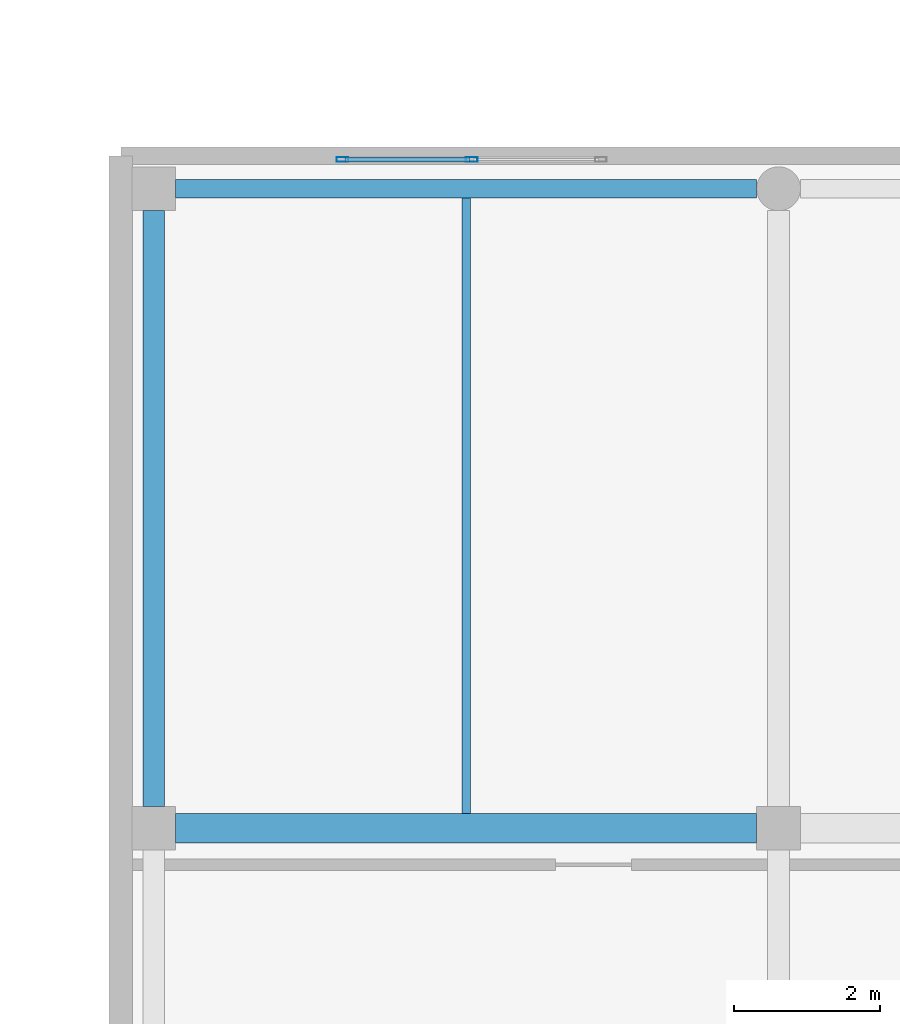
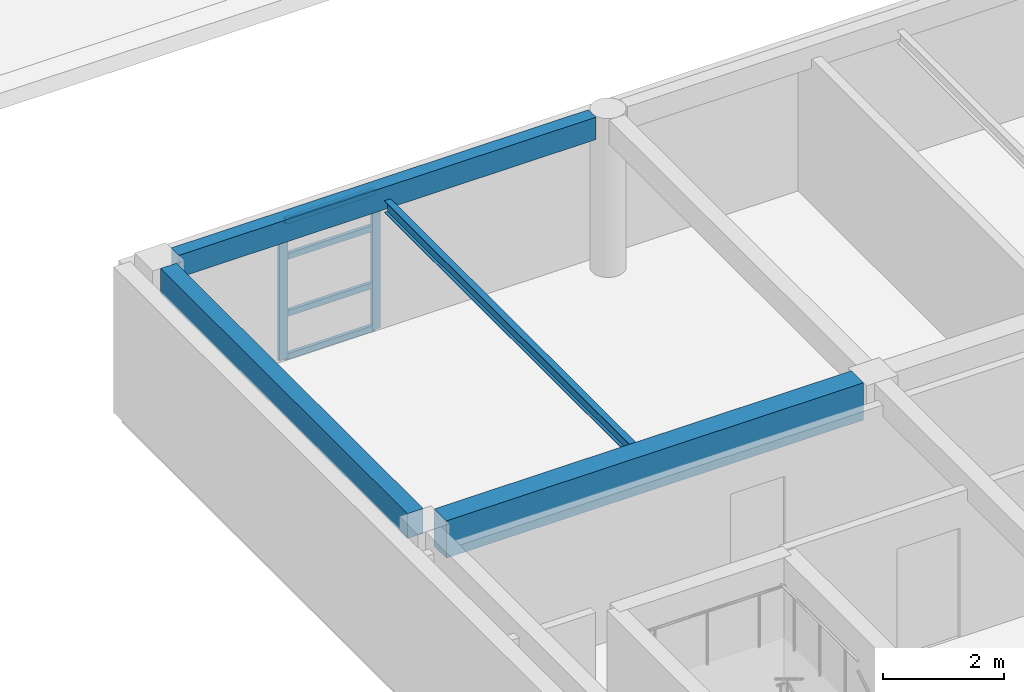
# One storey, part 36 of 128: 6 members, 4 beams, 1 element without a shape of its own.
"""IFC4 building model written with IfcOpenShell, lengths in metres."""

from ifc_helpers import new_model, si_unit, direction, frame, origin, origin_2d, place, context, subcontext, project, spatial, rectangle, hollow_rectangle, i_section, extrude, material, layer, layer_set, material_profile, profile_set, type_object, element, aggregate, save


model = new_model("IFC4")

# Units and contexts
model_context = context("Model", 3, precision=1e-05, world=origin(), true_north=direction((0.0, 1.0)))
body_context = subcontext(model_context, "Body", "Model", "MODEL_VIEW")
ifc_project = project(units=[si_unit("LENGTHUNIT", "METRE"), si_unit("AREAUNIT", "SQUARE_METRE"), si_unit("VOLUMEUNIT", "CUBIC_METRE"), si_unit("PLANEANGLEUNIT", "RADIAN"), si_unit("MASSUNIT", "GRAM", prefix="KILO")], contexts=[model_context])

# Site, building, storey
site_placement = place(None, origin())
site = spatial("IfcSite", under=ifc_project, at=site_placement, CompositionType="ELEMENT")
building_placement = place(site_placement, origin())
building = spatial("IfcBuilding", under=site, at=building_placement, Name="Keldmere Railside Commons", CompositionType="ELEMENT")
storey_placement = place(building_placement, frame((0.0, 0.0, 4.159912109375)))
storey = spatial("IfcBuildingStorey", under=building, at=storey_placement, Name="L01", CompositionType="ELEMENT", Elevation=4.159912109375)

# Beams
ifc_material_1 = material(Name="Concrete H-35 (C35/45)", Category="concrete")
ifc_material_profile_1 = material_profile(ifc_material_1, rectangle(XDim=0.39990234375, YDim=0.75, at=origin_2d()), Name="RC-400x750")
ifc_profile_set_1 = profile_set([ifc_material_profile_1], Name="Concrete H-35 (C35/45)")
beam_type_1 = type_object("IfcBeamType", Name="Civic Frame RC Girder 400x750", PredefinedType="BEAM", material=ifc_profile_set_1)
beam_1_placement = place(storey_placement, frame((128.75, 30.800048828125, 2.8251953125), z_axis=(1.0, 0.0, 0.0), x_axis=(0.0, 1.0, 0.0)))
element("IfcBeam", 1, at=beam_1_placement, inside=storey, type_object=beam_type_1, Name="BG-2 BM-L01-0761", PredefinedType="BEAM", context=body_context, shape_type="SweptSolid", body=[
    extrude(rectangle(XDim=0.39990234375, YDim=0.75, at=origin_2d()), origin(), (0.0, 0.0, 1.0), 7.949951171875),
])
ifc_material_2 = material(Name="Steel F-36 (S355)", Category="steel")
ifc_material_profile_2 = material_profile(ifc_material_2, i_section(OverallWidth=0.1201171875, OverallDepth=0.239990234375, WebThickness=0.006103515625, FlangeThickness=0.009765625, at=origin_2d()), Name="IPE-240")
ifc_profile_set_2 = profile_set([ifc_material_profile_2], Name="Steel F-36 (S355)")
beam_type_2 = type_object("IfcBeamType", Name="Nursery & Mezzanine Steel Joist IPE240", PredefinedType="JOIST", material=ifc_profile_set_2)
beam_2_placement = place(storey_placement, frame((132.72509765625, 31.0, 2.81005859375), z_axis=(0.0, 1.0, 0.0), x_axis=(-1.0, 0.0, 0.0)))
element("IfcBeam", 2, at=beam_2_placement, inside=storey, type_object=beam_type_2, Name="JST-2 BM-L01-0991", PredefinedType="JOIST", context=body_context, shape_type="SweptSolid", body=[
    extrude(i_section(OverallWidth=0.1201171875, OverallDepth=0.239990234375, WebThickness=0.006103515625, FlangeThickness=0.009765625, at=origin_2d()), origin(), (0.0, 0.0, 1.0), 8.425048828125),
])
ifc_material_3 = material(Name="Architectural Precast Concrete H-35 (C35/45)", Category="concrete")
ifc_material_profile_3 = material_profile(ifc_material_3, rectangle(XDim=0.25, YDim=0.449951171875, at=origin_2d()), Name="RC-250x450")
ifc_profile_set_3 = profile_set([ifc_material_profile_3], Name="Architectural Precast Concrete H-35 (C35/45)")
beam_type_3 = type_object("IfcBeamType", Name="Perimeter Precast Spandrel Beam 250x450", PredefinedType="SPANDREL", material=ifc_profile_set_3)
beam_3_placement = place(storey_placement, frame((128.75, 39.550048828125, 2.97509765625), z_axis=(1.0, 0.0, 0.0), x_axis=(0.0, 1.0, 0.0)))
element("IfcBeam", 3, at=beam_3_placement, inside=storey, type_object=beam_type_3, Name="SPB-1 BM-L01-0774", PredefinedType="SPANDREL", context=body_context, shape_type="SweptSolid", body=[
    extrude(rectangle(XDim=0.25, YDim=0.449951171875, at=origin_2d()), origin(), (0.0, 0.0, 1.0), 7.949951171875),
])
ifc_material_4 = material(Name="Concrete H-30 (C30/37)", Category="concrete")
ifc_material_profile_4 = material_profile(ifc_material_4, rectangle(XDim=0.300048828125, YDim=0.5, at=origin_2d()), Name="RC-300x500")
ifc_profile_set_4 = profile_set([ifc_material_profile_4], Name="Concrete H-30 (C30/37)")
beam_type_4 = type_object("IfcBeamType", Name="Secondary Frame RC Beam 300x500", PredefinedType="BEAM", material=ifc_profile_set_4)
beam_4_placement = place(storey_placement, frame((128.449951171875, 31.10009765625, 2.9501953125), z_axis=(0.0, 1.0, 0.0), x_axis=(-1.0, 0.0, 0.0)))
element("IfcBeam", 4, at=beam_4_placement, inside=storey, type_object=beam_type_4, Name="BG-5 BM-L01-0939", PredefinedType="BEAM", context=body_context, shape_type="SweptSolid", body=[
    extrude(rectangle(XDim=0.300048828125, YDim=0.5, at=origin_2d()), origin(), (0.0, 0.0, 1.0), 8.14990234375),
])

# Curtain wall, members
ifc_material_5 = material(Name="Thermally Broken Aluminium", Category="aluminium")
ifc_layer = layer(ifc_material_5, 0.159912109375, Name="Market Arcade Upper Gallery CW 3600x2800")
ifc_layer_set = layer_set([ifc_layer], Name="Thermally Broken Aluminium")
curtain_wall_type = type_object("IfcCurtainWallType", Name="Market Arcade Upper Gallery CW 3600x2800", PredefinedType="NOTDEFINED", material=ifc_layer_set)
curtain_wall_placement = place(storey_placement, origin())
curtain_wall = element("IfcCurtainWall", 5, at=curtain_wall_placement, inside=storey, type_object=curtain_wall_type, Name="CW-03 CW-L01-218", PredefinedType="NOTDEFINED")
ifc_material_profile_5 = material_profile(ifc_material_5, hollow_rectangle(XDim=0.06494140625, YDim=0.159912109375, WallThickness=0.00390625, at=origin_2d()), Name="ALU-MULL-65x160")
ifc_profile_set_5 = profile_set([ifc_material_profile_5], Name="Thermally Broken Aluminium")
member_type_1 = type_object("IfcMemberType", Name="Unitised Curtain Wall Mullion 65x160", PredefinedType="MULLION", material=ifc_profile_set_5)
member_1_placement = place(storey_placement, frame((131.032470703125, 39.949951171875, 0.0), z_axis=(0.0, 0.0, 1.0), x_axis=(0.0, 1.0, 0.0)))
member_1 = element("IfcMember", 6, at=member_1_placement, type_object=member_type_1, Name="CW-03 mullion 1", PredefinedType="MULLION", context=body_context, shape_type="SweptSolid", body=[
    extrude(hollow_rectangle(XDim=0.06494140625, YDim=0.159912109375, WallThickness=0.00390625, at=origin_2d()), origin(), (0.0, 0.0, 1.0), 2.800048828125),
])
member_2_placement = place(storey_placement, frame((132.800048828125, 39.949951171875, 0.0), z_axis=(0.0, 0.0, 1.0), x_axis=(0.0, 1.0, 0.0)))
member_2 = element("IfcMember", 7, at=member_2_placement, type_object=member_type_1, Name="CW-03 mullion 2", PredefinedType="MULLION", context=body_context, shape_type="SweptSolid", body=[
    extrude(hollow_rectangle(XDim=0.06494140625, YDim=0.159912109375, WallThickness=0.00390625, at=origin_2d()), origin(), (0.0, 0.0, 1.0), 2.800048828125),
])
ifc_material_profile_6 = material_profile(ifc_material_5, hollow_rectangle(XDim=0.06494140625, YDim=0.1201171875, WallThickness=0.00390625, at=origin_2d()), Name="ALU-TRAN-65x120")
ifc_profile_set_6 = profile_set([ifc_material_profile_6], Name="Thermally Broken Aluminium")
member_type_2 = type_object("IfcMemberType", Name="Unitised Curtain Wall Transom 65x120", PredefinedType="USERDEFINED", material=ifc_profile_set_6)
member_3_placement = place(storey_placement, frame((131.06494140625, 39.949951171875, 0.032470703125), z_axis=(1.0, 0.0, 0.0), x_axis=(0.0, 1.0, 0.0)))
member_3 = element("IfcMember", 8, at=member_3_placement, type_object=member_type_2, Name="CW-03 transom 1.1", ObjectType="TRANSOM", PredefinedType="USERDEFINED", context=body_context, shape_type="SweptSolid", body=[
    extrude(hollow_rectangle(XDim=0.06494140625, YDim=0.1201171875, WallThickness=0.00390625, at=origin_2d()), origin(), (0.0, 0.0, 1.0), 1.70263671875),
])
member_4_placement = place(storey_placement, frame((131.06494140625, 39.949951171875, 0.900146484375), z_axis=(1.0, 0.0, 0.0), x_axis=(0.0, 1.0, 0.0)))
member_4 = element("IfcMember", 9, at=member_4_placement, type_object=member_type_2, Name="CW-03 transom 1.2", ObjectType="TRANSOM", PredefinedType="USERDEFINED", context=body_context, shape_type="SweptSolid", body=[
    extrude(hollow_rectangle(XDim=0.06494140625, YDim=0.1201171875, WallThickness=0.00390625, at=origin_2d()), origin(), (0.0, 0.0, 1.0), 1.70263671875),
])
member_5_placement = place(storey_placement, frame((131.06494140625, 39.949951171875, 2.050048828125), z_axis=(1.0, 0.0, 0.0), x_axis=(0.0, 1.0, 0.0)))
member_5 = element("IfcMember", 10, at=member_5_placement, type_object=member_type_2, Name="CW-03 transom 1.3", ObjectType="TRANSOM", PredefinedType="USERDEFINED", context=body_context, shape_type="SweptSolid", body=[
    extrude(hollow_rectangle(XDim=0.06494140625, YDim=0.1201171875, WallThickness=0.00390625, at=origin_2d()), origin(), (0.0, 0.0, 1.0), 1.70263671875),
])
member_6_placement = place(storey_placement, frame((131.06494140625, 39.949951171875, 2.767578125), z_axis=(1.0, 0.0, 0.0), x_axis=(0.0, 1.0, 0.0)))
member_6 = element("IfcMember", 11, at=member_6_placement, type_object=member_type_2, Name="CW-03 transom 1.4", ObjectType="TRANSOM", PredefinedType="USERDEFINED", context=body_context, shape_type="SweptSolid", body=[
    extrude(hollow_rectangle(XDim=0.06494140625, YDim=0.1201171875, WallThickness=0.00390625, at=origin_2d()), origin(), (0.0, 0.0, 1.0), 1.70263671875),
])
aggregate(curtain_wall, [member_1, member_2, member_3, member_4, member_5, member_6])

save(model, "model.ifc")
